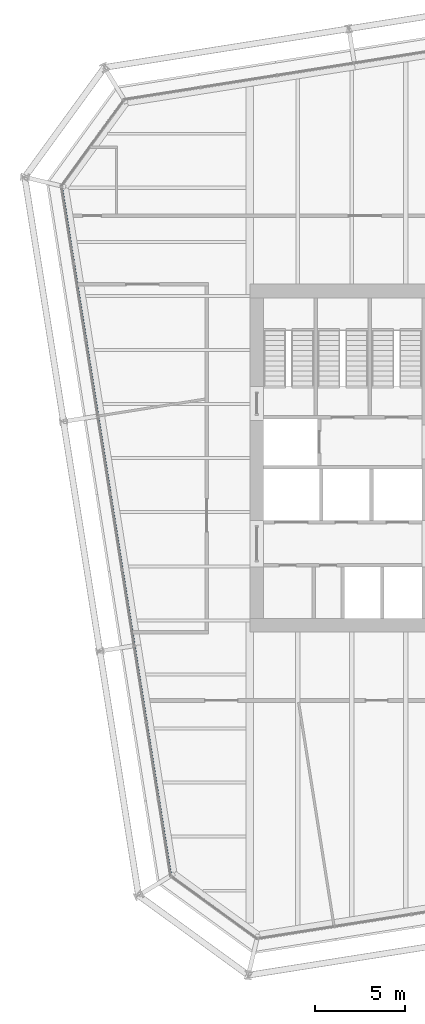
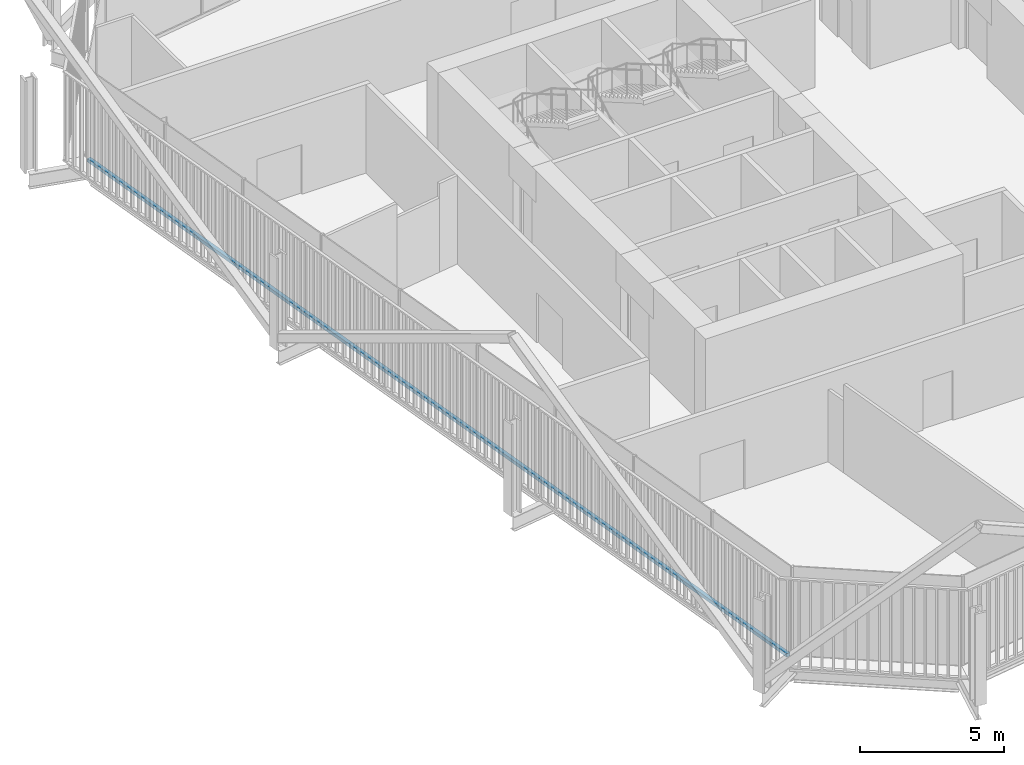
# One storey, part 5 of 22: 1 member, 1 element without a shape of its own.
"""IFC4 building model written with IfcOpenShell, lengths in metres."""

import ifcopenshell
import ifcopenshell.guid

model = None  # the IFC model being written
_history = None  # IfcOwnerHistory: only IFC2X3 demands one
_inside = {}  # id of a spatial element -> (the spatial element, [elements in it])
_under = {}  # id of a project, library or spatial element -> (it, [spatial elements below it])
_declared = {}  # id of a project -> (the project, [libraries it declares])
_typed = {}  # id of a type object -> (the type object, [elements of that type])
_made_of = {}  # id of a material, layer set ... -> (it, [elements and type objects made of it])


def new_model(schema):
    """Start an empty IFC model of exactly this schema.

    Asked for "IFC4X3", IfcOpenShell would pick the latest addendum, in which some entities
    have other attributes; the version numbers below select the first issue.
    IFC2X3 requires an IfcOwnerHistory on every rooted entity: one is made here for all.
    """
    global model, _history
    if schema == "IFC4X3":
        model = ifcopenshell.file(schema_version=(4, 3, 0, 0))
    else:
        model = ifcopenshell.file(schema=schema)
    _inside.clear()
    _under.clear()
    _declared.clear()
    _typed.clear()
    _made_of.clear()
    _history = None
    if model.schema == "IFC2X3":
        org = make("IfcOrganization", Name="unknown")
        user = make(
            "IfcPersonAndOrganization",
            ThePerson=make("IfcPerson", FamilyName="unknown"),
            TheOrganization=org,
        )
        app = make(
            "IfcApplication",
            ApplicationDeveloper=org,
            Version="unknown",
            ApplicationFullName="unknown",
            ApplicationIdentifier="unknown",
        )
        _history = make(
            "IfcOwnerHistory",
            OwningUser=user,
            OwningApplication=app,
            ChangeAction="ADDED",
            CreationDate=0,
        )
    return model


def make(cls, **values):
    """One entity of the class cls with the attributes given. An attribute that is None is left unset."""
    return model.create_entity(
        cls, **{name: value for name, value in values.items() if value is not None}
    )


def rooted(cls, **values):
    """An entity with a GlobalId (a new one), such as an element, a storey or a relation."""
    return make(cls, GlobalId=ifcopenshell.guid.new(), OwnerHistory=_history, **values)


def si_unit(unit_type, name, prefix=None):
    """IfcSIUnit, for example si_unit("LENGTHUNIT", "METRE", prefix="MILLI")."""
    return make("IfcSIUnit", UnitType=unit_type, Prefix=prefix, Name=name)


def assignment(units):
    """IfcUnitAssignment: the units of a project."""
    return None if units is None else make("IfcUnitAssignment", Units=units)


def point(xyz):
    """IfcCartesianPoint."""
    return None if xyz is None else make("IfcCartesianPoint", Coordinates=xyz)


def direction(xyz):
    """IfcDirection."""
    return None if xyz is None else make("IfcDirection", DirectionRatios=xyz)


def frame(location, z_axis=None, x_axis=None):
    """IfcAxis2Placement3D, a coordinate frame: its origin and axes. An axis left out is left unset."""
    return make(
        "IfcAxis2Placement3D",
        Location=point(location),
        Axis=direction(z_axis),
        RefDirection=direction(x_axis),
    )


def frame_2d(location, x_axis=None):
    """IfcAxis2Placement2D, a coordinate frame in the plane: its origin and x axis."""
    return make(
        "IfcAxis2Placement2D", Location=point(location), RefDirection=direction(x_axis)
    )


def origin():
    """The frame at (0, 0, 0) with its axes left unset."""
    return frame((0.0, 0.0, 0.0))


def origin_2d():
    """The frame at (0, 0) in the plane with its x axis left unset."""
    return frame_2d((0.0, 0.0))


def place(relative_to, where):
    """IfcLocalPlacement: puts the frame where relative to a parent placement (None: the world)."""
    return make(
        "IfcLocalPlacement", PlacementRelTo=relative_to, RelativePlacement=where
    )


def context(
    kind, dimensions, precision=None, world=None, true_north=None, identifier=None
):
    """IfcGeometricRepresentationContext, for example the 3D "Model" context."""
    return make(
        "IfcGeometricRepresentationContext",
        ContextIdentifier=identifier,
        ContextType=kind,
        CoordinateSpaceDimension=dimensions,
        Precision=precision,
        WorldCoordinateSystem=world,
        TrueNorth=true_north,
    )


def subcontext(parent, identifier, kind, view, scale=None):
    """IfcGeometricRepresentationSubContext, for example "Body" below "Model"."""
    return make(
        "IfcGeometricRepresentationSubContext",
        ContextIdentifier=identifier,
        ContextType=kind,
        ParentContext=parent,
        TargetScale=scale,
        TargetView=view,
    )


def project(units=None, contexts=None):
    """IfcProject with its units and contexts."""
    return rooted(
        "IfcProject",
        Name="project",
        RepresentationContexts=contexts,
        UnitsInContext=assignment(units),
    )


def spatial(cls, under=None, at=None, **own):
    """A site, building, storey or space (cls), placed at a placement, below another one or the project."""
    s = rooted(cls, ObjectPlacement=at, **own)
    if under is not None:
        _under.setdefault(under.id(), (under, []))[1].append(s)
    return s


def profile(cls, at=None, kind="AREA", **sizes):
    """A parametric profile (cls). Its sizes go by their IFC names, for example OverallWidth=200.0."""
    return make(cls, ProfileType=kind, Position=at, **sizes)


def rectangle(**sizes):
    """IfcRectangleProfileDef."""
    return profile("IfcRectangleProfileDef", **sizes)


def extrude(swept, where, along, depth):
    """IfcExtrudedAreaSolid: the profile swept, set in the frame where, extruded along a direction by depth."""
    return make(
        "IfcExtrudedAreaSolid",
        SweptArea=swept,
        Position=where,
        ExtrudedDirection=direction(along),
        Depth=depth,
    )


def shape(context_of_items, identifier, shape_type, items):
    """IfcShapeRepresentation: the items that make up one representation, for example the "Body"."""
    return make(
        "IfcShapeRepresentation",
        ContextOfItems=context_of_items,
        RepresentationIdentifier=identifier,
        RepresentationType=shape_type,
        Items=items,
    )


def material(Name=None, Category=None):
    """IfcMaterial."""
    return make("IfcMaterial", Name=Name, Category=Category)


def layer(
    of_material, thickness, ventilated=None, Name=None, Category=None, Priority=None
):
    """IfcMaterialLayer: one layer of a wall or slab, of a material (None: an air gap)."""
    return make(
        "IfcMaterialLayer",
        Material=of_material,
        LayerThickness=thickness,
        IsVentilated=ventilated,
        Name=Name,
        Category=Category,
        Priority=Priority,
    )


def layer_set(layers, Name=None):
    """IfcMaterialLayerSet."""
    return make("IfcMaterialLayerSet", MaterialLayers=layers, LayerSetName=Name)


def material_profile(
    of_material, cross_section, Name=None, Category=None, Priority=None
):
    """IfcMaterialProfile: a cross section and its material."""
    return make(
        "IfcMaterialProfile",
        Name=Name,
        Material=of_material,
        Profile=cross_section,
        Priority=Priority,
        Category=Category,
    )


def profile_set(profiles, Name=None, composite=None):
    """IfcMaterialProfileSet."""
    return make(
        "IfcMaterialProfileSet",
        Name=Name,
        MaterialProfiles=profiles,
        CompositeProfile=composite,
    )


def made_of(thing, what):
    """Note that an element or type object is made of a material, layer set ...; save() writes the relation."""
    if what is not None:
        _made_of.setdefault(what.id(), (what, []))[1].append(thing)
    return thing


def type_object(cls, material=None, **own):
    """A type object (cls), such as IfcWallType, which elements share."""
    return made_of(rooted(cls, **own), material)


def element(
    cls,
    number,
    at=None,
    inside=None,
    cuts=None,
    type_object=None,
    material=None,
    context=None,
    identifier="Body",
    shape_type=None,
    held_by="IfcProductDefinitionShape",
    body=None,
    shapes=None,
    **own,
):
    """One element of the class cls, such as IfcWall. Its Tag is "e" and its number.

    at: its placement. inside: the storey or other place that contains it. cuts: it is an
    opening in that element (IfcRelVoidsElement). A single representation is given by context,
    identifier, shape_type and body (its items); several are given by shapes. held_by: the class
    of the entity that holds the representations. save() writes the other relations.
    """
    e = rooted(cls, Tag="e%d" % number, ObjectPlacement=at, **own)
    if body is not None:
        shapes = [shape(context, identifier, shape_type, body)]
    if shapes is not None:
        e.Representation = make(held_by, Representations=shapes)
    if inside is not None:
        _inside.setdefault(inside.id(), (inside, []))[1].append(e)
    if cuts is not None:
        rooted(
            "IfcRelVoidsElement", RelatingBuildingElement=cuts, RelatedOpeningElement=e
        )
    if type_object is not None:
        _typed.setdefault(type_object.id(), (type_object, []))[1].append(e)
    return made_of(e, material)


def aggregate(whole, parts):
    """IfcRelAggregates: a whole, such as a stair, and the parts it consists of."""
    return rooted("IfcRelAggregates", RelatingObject=whole, RelatedObjects=parts)


def save(model, path):
    """Write the relations noted so far, then the file.

    IfcRelAggregates (storeys below a building ...), IfcRelContainedInSpatialStructure (elements
    in a storey), IfcRelDefinesByType, IfcRelAssociatesMaterial and IfcRelDeclares: one each for
    every whole, place, type object, material and project.
    """
    for whole, parts in _under.values():
        aggregate(whole, parts)
    for where, things in _inside.values():
        rooted(
            "IfcRelContainedInSpatialStructure",
            RelatedElements=things,
            RelatingStructure=where,
        )
    for kind, things in _typed.values():
        rooted("IfcRelDefinesByType", RelatedObjects=things, RelatingType=kind)
    for what, things in _made_of.values():
        rooted("IfcRelAssociatesMaterial", RelatedObjects=things, RelatingMaterial=what)
    for by, libraries in _declared.values():
        rooted("IfcRelDeclares", RelatingContext=by, RelatedDefinitions=libraries)
    model.write(path)


model = new_model("IFC4")

# Units and contexts
model_context = context("Model", 3, precision=1e-05, world=origin(), true_north=direction((0.0, 1.0)))
body_context = subcontext(model_context, "Body", "Model", "MODEL_VIEW")
ifc_project = project(units=[si_unit("LENGTHUNIT", "METRE"), si_unit("AREAUNIT", "SQUARE_METRE"), si_unit("VOLUMEUNIT", "CUBIC_METRE"), si_unit("PLANEANGLEUNIT", "RADIAN"), si_unit("MASSUNIT", "GRAM", prefix="KILO")], contexts=[model_context])

# Site, building, storey
site_placement = place(None, origin())
site = spatial("IfcSite", under=ifc_project, at=site_placement, CompositionType="ELEMENT")
building_placement = place(site_placement, origin())
building = spatial("IfcBuilding", under=site, at=building_placement, Name="Millrace Tower", CompositionType="ELEMENT")
storey_placement = place(building_placement, frame((0.0, 0.0, 145.10009765625)))
storey = spatial("IfcBuildingStorey", under=building, at=storey_placement, Name="L32", CompositionType="ELEMENT", Elevation=145.10009765625)

# Curtain wall, member
ifc_material_1 = material(Name="Aluminium and glass", Category="aluminium")
ifc_layer = layer(ifc_material_1, 0.14990234375)
ifc_layer_set = layer_set([ifc_layer], Name="Aluminium and glass")
curtain_wall_type = type_object("IfcCurtainWallType", Name="CW-1 office vision curtain wall", PredefinedType="NOTDEFINED", material=ifc_layer_set)
curtain_wall_placement = place(storey_placement, origin())
curtain_wall = element("IfcCurtainWall", 1, at=curtain_wall_placement, inside=storey, type_object=curtain_wall_type, Name="Curtain wall C-F08 L32", PredefinedType="NOTDEFINED")
ifc_material_2 = material(Name="Aluminium", Category="aluminium")
ifc_material_profile = material_profile(ifc_material_2, rectangle(XDim=0.14990234375, YDim=0.139892578125, at=origin_2d()))
ifc_profile_set = profile_set([ifc_material_profile], Name="Aluminium")
member_type = type_object("IfcMemberType", Name="CW-1 office vision curtain wall transom", PredefinedType="USERDEFINED", material=ifc_profile_set)
member_placement = place(storey_placement, frame((-25.09619140625, 14.97509765625, 0.06982421875), z_axis=(0.156433422663, -0.987688505691, 0.0), x_axis=(0.987688505691, 0.156433422663, 0.0)))
member = element("IfcMember", 2, at=member_placement, type_object=member_type, Name="CW1 transom C-F08.1", ObjectType="TRANSOM", PredefinedType="USERDEFINED", context=body_context, shape_type="SweptSolid", body=[
    extrude(rectangle(XDim=0.14990234375, YDim=0.139892578125, at=origin_2d()), origin(), (0.0, 0.0, 1.0), 38.5),
])
aggregate(curtain_wall, [member])

save(model, "model.ifc")
